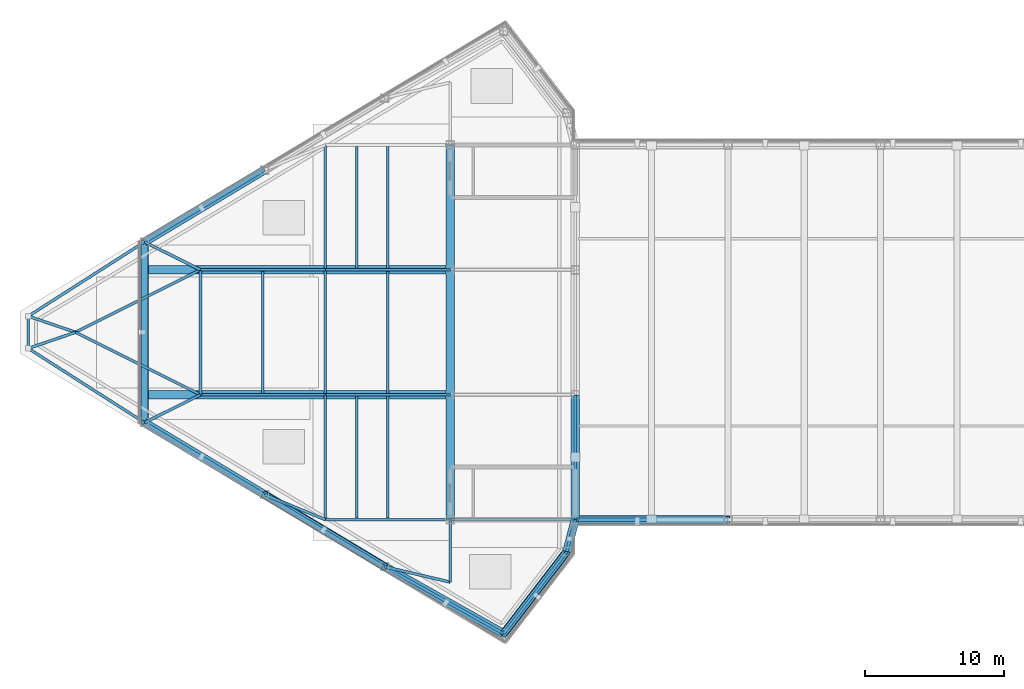
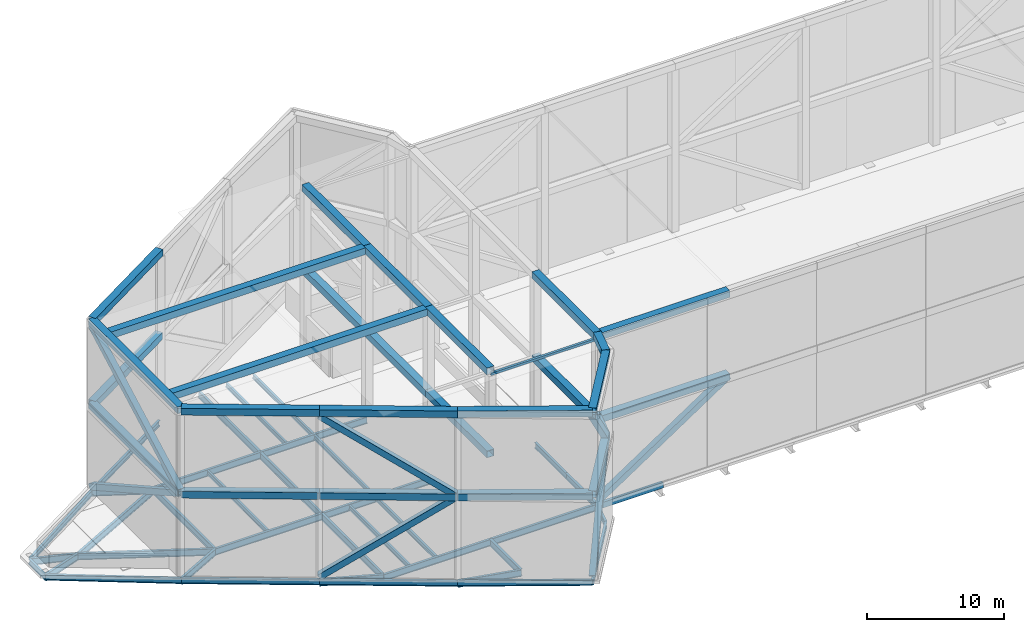
# One storey, part 3 of 16: 63 beams, 8 members.
"""IFC4 building model written with IfcOpenShell, lengths in metres."""

from ifc_helpers import new_model, si_unit, direction, frame, origin, origin_2d, place, context, subcontext, project, spatial, hollow_rectangle, i_section, extrude, source, transform, mapped, material, material_profile, profile_set, type_object, type_shapes, element, save


model = new_model("IFC4")

# Units and contexts
model_context = context("Model", 3, precision=1e-05, world=origin(), true_north=direction((0.0, 1.0)))
body_context = subcontext(model_context, "Body", "Model", "MODEL_VIEW")
ifc_project = project(units=[si_unit("LENGTHUNIT", "METRE"), si_unit("AREAUNIT", "SQUARE_METRE"), si_unit("VOLUMEUNIT", "CUBIC_METRE"), si_unit("PLANEANGLEUNIT", "RADIAN"), si_unit("MASSUNIT", "GRAM", prefix="KILO")], contexts=[model_context])

# Site, building, storey
site_placement = place(None, origin())
site = spatial("IfcSite", under=ifc_project, at=site_placement, CompositionType="ELEMENT")
building_placement = place(site_placement, origin())
building = spatial("IfcBuilding", under=site, at=building_placement, Name="Seokmaru Belvedere", CompositionType="ELEMENT")
storey_placement = place(building_placement, frame((0.0, 0.0, 279.0)))
storey = spatial("IfcBuildingStorey", under=building, at=storey_placement, Name="RF", CompositionType="ELEMENT", Elevation=279.0)

# Beams
ifc_material = material(Name="Steel SM355 (355 MPa)", Category="steel")
ifc_material_profile_1 = material_profile(ifc_material, i_section(OverallWidth=0.199951171875, OverallDepth=0.5, WebThickness=0.010009765625, FlangeThickness=0.01611328125, at=origin_2d()), Name="H-500x200x10x16")
ifc_profile_set_1 = profile_set([ifc_material_profile_1], Name="Steel SM355 (355 MPa)")
beam_type_1 = type_object("IfcBeamType", Name="Perimeter Spandrel Beam H-500", PredefinedType="SPANDREL", material=ifc_profile_set_1)
shared_shape_1 = source(origin(), body_context, "Body", "SweptSolid", [
    extrude(i_section(OverallWidth=0.199951171875, OverallDepth=0.5, WebThickness=0.010009765625, FlangeThickness=0.01611328125, at=origin_2d()), origin(), (0.0, 0.0, 1.0), 4.5),
])
for number, where, z_axis, x_axis, name in (
    (1, (-27.5, -13.5, -0.530029296875), (0.0, 1.0, 0.0), (-1.0, 0.0, 0.0), "RF W Portal Spine Spandrel 1"),
    (2, (-27.5, -9.0, -0.530029296875), (0.0, 1.0, 0.0), (-1.0, 0.0, 0.0), "RF W Portal Spine Spandrel 2"),
):
    element("IfcBeam", number, at=place(storey_placement, frame(where, z_axis=z_axis, x_axis=x_axis)), inside=storey, type_object=beam_type_1, Name=name, PredefinedType="SPANDREL", context=body_context, shape_type="MappedRepresentation", body=[
        mapped(shared_shape_1, transform((0.0, 0.0, 0.0), scale=1.0)),
    ])
ifc_material_profile_2 = material_profile(ifc_material, i_section(OverallWidth=0.199951171875, OverallDepth=0.60009765625, WebThickness=0.010986328125, FlangeThickness=0.01708984375, at=origin_2d()), Name="H-600x200x11x17")
ifc_profile_set_2 = profile_set([ifc_material_profile_2], Name="Steel SM355 (355 MPa)")
beam_type_2 = type_object("IfcBeamType", Name="Primary Floor Girder H-600", PredefinedType="BEAM", material=ifc_profile_set_2)
shared_shape_2 = source(origin(), body_context, "Body", "SweptSolid", [
    extrude(i_section(OverallWidth=0.199951171875, OverallDepth=0.60009765625, WebThickness=0.010986328125, FlangeThickness=0.01708984375, at=origin_2d()), origin(), (0.0, 0.0, 1.0), 9.0),
])
for number, where, z_axis, x_axis, name in (
    (3, (-45.5, -13.5, -0.580078125), (0.0, 1.0, 0.0), (-1.0, 0.0, 0.0), "RF W Interior Grid Girder 1"),
    (4, (-45.5, -4.5, -0.580078125), (0.0, 1.0, 0.0), (-1.0, 0.0, 0.0), "RF W Interior Grid Girder 2"),
    (5, (-45.5, 4.5, -0.580078125), (0.0, 1.0, 0.0), (-1.0, 0.0, 0.0), "RF W Interior Grid Girder 3"),
    (6, (-36.5, -13.5, -0.580078125), (1.0, 0.0, 0.0), (0.0, 1.0, 0.0), "RF W Core Tie Girder 1"),
    (7, (-45.5, -13.5, -0.580078125), (1.0, 0.0, 0.0), (0.0, 1.0, 0.0), "RF W Wing Primary Girder 1"),
    (8, (-45.5, -4.5, -0.580078125), (1.0, 0.0, 0.0), (0.0, 1.0, 0.0), "RF W Wing Primary Girder 2"),
    (9, (-45.5, 4.5, -0.580078125), (1.0, 0.0, 0.0), (0.0, 1.0, 0.0), "RF W Wing Primary Girder 3"),
    (10, (-54.5, -4.5, -0.580078125), (1.0, 0.0, 0.0), (0.0, 1.0, 0.0), "RF W Outer Wing Girder 1"),
    (11, (-54.5, 4.5, -0.580078125), (1.0, 0.0, 0.0), (0.0, 1.0, 0.0), "RF W Outer Wing Girder 2"),
    (12, (-54.5, -4.5, -0.580078125), (0.0, 1.0, 0.0), (-1.0, 0.0, 0.0), "RF W Apex Frame Girder"),
):
    element("IfcBeam", number, at=place(storey_placement, frame(where, z_axis=z_axis, x_axis=x_axis)), inside=storey, type_object=beam_type_2, Name=name, PredefinedType="BEAM", context=body_context, shape_type="MappedRepresentation", body=[
        mapped(shared_shape_2, transform((0.0, 0.0, 0.0), scale=1.0)),
    ])
shared_shape_3 = source(origin(), body_context, "Body", "SweptSolid", [
    extrude(i_section(OverallWidth=0.199951171875, OverallDepth=0.60009765625, WebThickness=0.010986328125, FlangeThickness=0.01708984375, at=origin_2d()), origin(), (0.0, 0.0, 1.0), 10.062255859375),
])
for number, where, z_axis, x_axis, name in (
    (13, (-54.5, -4.5, -0.580078125), (-0.894427191, 0.4472135955, 0.0), (-0.4472135955, -0.894427191, 0.0), "RF W Apex Converging Girder 1"),
    (14, (-54.5, 4.5, -0.580078125), (-0.894427191, -0.4472135955, 0.0), (0.4472135955, -0.894427191, 0.0), "RF W Apex Converging Girder 2"),
):
    element("IfcBeam", number, at=place(storey_placement, frame(where, z_axis=z_axis, x_axis=x_axis)), inside=storey, type_object=beam_type_2, Name=name, PredefinedType="BEAM", context=body_context, shape_type="MappedRepresentation", body=[
        mapped(shared_shape_3, transform((0.0, 0.0, 0.0), scale=1.0)),
    ])
ifc_material_profile_3 = material_profile(ifc_material, i_section(OverallWidth=0.18505859375, OverallDepth=0.389892578125, WebThickness=0.008056640625, FlangeThickness=0.011962890625, at=origin_2d()), Name="H-390x185x8x12")
ifc_profile_set_3 = profile_set([ifc_material_profile_3], Name="Steel SM355 (355 MPa)")
beam_type_3 = type_object("IfcBeamType", Name="Secondary Floor Joist H-350", PredefinedType="JOIST", material=ifc_profile_set_3)
shared_shape_4 = source(origin(), body_context, "Body", "SweptSolid", [
    extrude(i_section(OverallWidth=0.18505859375, OverallDepth=0.389892578125, WebThickness=0.008056640625, FlangeThickness=0.011962890625, at=origin_2d()), origin(), (0.0, 0.0, 1.0), 8.7900390625),
])
type_shapes(beam_type_3, [shared_shape_4])
for number, where, z_axis, x_axis, name in (
    (15, (-43.25, -13.39501953125, -0.47509765625), (0.0, 1.0, 0.0), (-1.0, 0.0, 0.0), "RF W Wing Inner Secondary Joist 1"),
    (16, (-43.25, 4.60498046875, -0.47509765625), (0.0, 1.0, 0.0), (-1.0, 0.0, 0.0), "RF W Wing Inner Secondary Joist 2"),
    (17, (-41.0, -13.39501953125, -0.47509765625), (0.0, 1.0, 0.0), (-1.0, 0.0, 0.0), "RF W Secondary Floor Joist 1"),
    (18, (-41.0, -4.39501953125, -0.47509765625), (0.0, 1.0, 0.0), (-1.0, 0.0, 0.0), "RF W Secondary Floor Joist 2"),
    (19, (-41.0, 4.60498046875, -0.47509765625), (0.0, 1.0, 0.0), (-1.0, 0.0, 0.0), "RF W Secondary Floor Joist 3"),
    (20, (-50.0, -4.39501953125, -0.47509765625), (0.0, 1.0, 0.0), (-1.0, 0.0, 0.0), "RF W Outer Bay Secondary Joist"),
):
    element("IfcBeam", number, at=place(storey_placement, frame(where, z_axis=z_axis, x_axis=x_axis)), inside=storey, type_object=beam_type_3, Name=name, PredefinedType="JOIST", context=body_context, shape_type="MappedRepresentation", body=[
        mapped(shared_shape_4, transform((0.0, 0.0, 0.0), scale=1.0)),
    ])
shared_shape_5 = source(origin(), body_context, "Body", "SweptSolid", [
    extrude(i_section(OverallWidth=0.199951171875, OverallDepth=0.60009765625, WebThickness=0.010986328125, FlangeThickness=0.01708984375, at=origin_2d()), origin(), (0.0, 0.0, 1.0), 4.5),
])
beam_1_placement = place(storey_placement, frame((-36.5, -18.0, -0.580078125), z_axis=(0.0, 1.0, 0.0), x_axis=(-1.0, 0.0, 0.0)))
element("IfcBeam", 21, at=beam_1_placement, inside=storey, type_object=beam_type_2, Name="RF W Core Shoulder Girder S", PredefinedType="BEAM", context=body_context, shape_type="MappedRepresentation", body=[
    mapped(shared_shape_5, transform((0.0, 0.0, 0.0), scale=1.0)),
])
shared_shape_6 = source(origin(), body_context, "Body", "SweptSolid", [
    extrude(i_section(OverallWidth=0.199951171875, OverallDepth=0.5, WebThickness=0.010009765625, FlangeThickness=0.01611328125, at=origin_2d()), origin(), (0.0, 0.0, 1.0), 9.842041015625),
])
beam_2_placement = place(storey_placement, frame((-32.649658203125, -21.71044921875, -0.530029296875), z_axis=(-0.871782151818, 0.489893743349, 0.0), x_axis=(-0.489893743349, -0.871782151818, 0.0)))
element("IfcBeam", 22, at=beam_2_placement, inside=storey, type_object=beam_type_1, Name="RF W Faceted Flank Spandrel S-1", PredefinedType="SPANDREL", context=body_context, shape_type="MappedRepresentation", body=[
    mapped(shared_shape_6, transform((0.0, 0.0, 0.0), scale=1.0)),
])
shared_shape_7 = source(origin(), body_context, "Body", "SweptSolid", [
    extrude(i_section(OverallWidth=0.199951171875, OverallDepth=0.5, WebThickness=0.010009765625, FlangeThickness=0.01611328125, at=origin_2d()), origin(), (0.0, 0.0, 1.0), 10.087646484375),
])
for number, where, z_axis, x_axis, name in (
    (23, (-41.229736328125, -16.888916015625, -0.530029296875), (-0.857499332045, 0.514485078056, 0.0), (-0.514485078056, -0.857499332045, 0.0), "RF W Faceted Flank Spandrel S-2"),
    (24, (-49.8798828125, -11.698974609375, -0.530029296875), (-0.857488654804, 0.514502873542, 0.0), (-0.514502873542, -0.857488654804, 0.0), "RF W Faceted Flank Spandrel S-3"),
    (25, (-49.8798828125, 11.698974609375, -0.530029296875), (-0.857488654804, -0.514502873542, 0.0), (0.514502873542, -0.857488654804, 0.0), "RF W Faceted Flank Spandrel N-3"),
):
    element("IfcBeam", number, at=place(storey_placement, frame(where, z_axis=z_axis, x_axis=x_axis)), inside=storey, type_object=beam_type_1, Name=name, PredefinedType="SPANDREL", context=body_context, shape_type="MappedRepresentation", body=[
        mapped(shared_shape_7, transform((0.0, 0.0, 0.0), scale=1.0)),
    ])
shared_shape_8 = source(origin(), body_context, "Body", "SweptSolid", [
    extrude(i_section(OverallWidth=0.199951171875, OverallDepth=0.5, WebThickness=0.010009765625, FlangeThickness=0.01611328125, at=origin_2d()), origin(), (0.0, 0.0, 1.0), 9.932861328125),
])
for number, where, z_axis, x_axis, name in (
    (26, (-58.530029296875, -6.5087890625, -0.530029296875), (-0.842651960357, 0.538458609093, 0.0), (-0.538458609093, -0.842651960357, 0.0), "RF W Faceted Flank Spandrel S-4"),
    (27, (-58.530029296875, 6.5087890625, -0.530029296875), (-0.842651960357, -0.538458609093, 0.0), (0.538458609093, -0.842651960357, 0.0), "RF W Faceted Flank Spandrel N-4"),
):
    element("IfcBeam", number, at=place(storey_placement, frame(where, z_axis=z_axis, x_axis=x_axis)), inside=storey, type_object=beam_type_1, Name=name, PredefinedType="SPANDREL", context=body_context, shape_type="MappedRepresentation", body=[
        mapped(shared_shape_8, transform((0.0, 0.0, 0.0), scale=1.0)),
    ])
shared_shape_9 = source(origin(), body_context, "Body", "SweptSolid", [
    extrude(i_section(OverallWidth=0.199951171875, OverallDepth=0.5, WebThickness=0.010009765625, FlangeThickness=0.01611328125, at=origin_2d()), origin(), (0.0, 0.0, 1.0), 2.32080078125),
])
beam_3_placement = place(storey_placement, frame((-66.89990234375, -1.160400390625, -0.530029296875), z_axis=(0.0, 1.0, 0.0), x_axis=(-1.0, 0.0, 0.0)))
element("IfcBeam", 28, at=beam_3_placement, inside=storey, type_object=beam_type_1, Name="RF W Faceted Apex Spandrel", PredefinedType="SPANDREL", context=body_context, shape_type="MappedRepresentation", body=[
    mapped(shared_shape_9, transform((0.0, 0.0, 0.0), scale=1.0)),
])
shared_shape_10 = source(origin(), body_context, "Body", "SweptSolid", [
    extrude(i_section(OverallWidth=0.199951171875, OverallDepth=0.5, WebThickness=0.010009765625, FlangeThickness=0.01611328125, at=origin_2d()), origin(), (0.0, 0.0, 1.0), 7.4619140625),
])
beam_4_placement = place(storey_placement, frame((-32.649658203125, -21.71044921875, -0.530029296875), z_axis=(0.609702854945, 0.792630070507, 0.0), x_axis=(-0.792630070507, 0.609702854945, 0.0)))
element("IfcBeam", 29, at=beam_4_placement, inside=storey, type_object=beam_type_1, Name="RF W Shoulder Chamfer Spandrel S", PredefinedType="SPANDREL", context=body_context, shape_type="MappedRepresentation", body=[
    mapped(shared_shape_10, transform((0.0, 0.0, 0.0), scale=1.0)),
])
shared_shape_11 = source(origin(), body_context, "Body", "SweptSolid", [
    extrude(i_section(OverallWidth=0.199951171875, OverallDepth=0.5, WebThickness=0.010009765625, FlangeThickness=0.01611328125, at=origin_2d()), origin(), (0.0, 0.0, 1.0), 2.373046875),
])
type_shapes(beam_type_1, [shared_shape_1, shared_shape_6, shared_shape_7, shared_shape_8, shared_shape_9, shared_shape_10, shared_shape_11])
beam_5_placement = place(storey_placement, frame((-28.10009765625, -15.7958984375, -0.530029296875), z_axis=(0.252882558842, 0.967496982648, 0.0), x_axis=(-0.967496982648, 0.252882558842, 0.0)))
element("IfcBeam", 30, at=beam_5_placement, inside=storey, type_object=beam_type_1, Name="RF W Shoulder Spine Spandrel S", PredefinedType="SPANDREL", context=body_context, shape_type="MappedRepresentation", body=[
    mapped(shared_shape_11, transform((0.0, 0.0, 0.0), scale=1.0)),
])
shared_shape_12 = source(origin(), body_context, "Body", "SweptSolid", [
    extrude(i_section(OverallWidth=0.199951171875, OverallDepth=0.60009765625, WebThickness=0.010986328125, FlangeThickness=0.01708984375, at=origin_2d()), origin(), (0.0, 0.0, 1.0), 4.8583984375),
])
beam_6_placement = place(storey_placement, frame((-41.229736328125, -16.888916015625, -0.580078125), z_axis=(0.97349948295, -0.228689214211, 0.0), x_axis=(0.228689214211, 0.97349948295, 0.0)))
element("IfcBeam", 31, at=beam_6_placement, inside=storey, type_object=beam_type_2, Name="RF W Flank Radial Floor Girder S-1", PredefinedType="BEAM", context=body_context, shape_type="MappedRepresentation", body=[
    mapped(shared_shape_12, transform((0.0, 0.0, 0.0), scale=1.0)),
])
shared_shape_13 = source(origin(), body_context, "Body", "SweptSolid", [
    extrude(i_section(OverallWidth=0.199951171875, OverallDepth=0.60009765625, WebThickness=0.010986328125, FlangeThickness=0.01708984375, at=origin_2d()), origin(), (0.0, 0.0, 1.0), 4.73583984375),
])
beam_7_placement = place(storey_placement, frame((-49.8798828125, -11.698974609375, -0.580078125), z_axis=(0.924860562953, -0.380306375301, 0.0), x_axis=(0.380306375301, 0.924860562953, 0.0)))
element("IfcBeam", 32, at=beam_7_placement, inside=storey, type_object=beam_type_2, Name="RF W Flank Radial Floor Girder S-2", PredefinedType="BEAM", context=body_context, shape_type="MappedRepresentation", body=[
    mapped(shared_shape_13, transform((0.0, 0.0, 0.0), scale=1.0)),
])
shared_shape_14 = source(origin(), body_context, "Body", "SweptSolid", [
    extrude(i_section(OverallWidth=0.199951171875, OverallDepth=0.60009765625, WebThickness=0.010986328125, FlangeThickness=0.01708984375, at=origin_2d()), origin(), (0.0, 0.0, 1.0), 4.5029296875),
])
for number, where, z_axis, x_axis, name in (
    (33, (-58.530029296875, -6.5087890625, -0.580078125), (0.894979532585, 0.446107202648, 0.0), (-0.446107202648, 0.894979532585, 0.0), "RF W Flank Radial Floor Girder S-3"),
    (34, (-58.530029296875, 6.5087890625, -0.580078125), (0.894979532585, -0.446107202648, 0.0), (0.446107202648, 0.894979532585, 0.0), "RF W Flank Radial Floor Girder N-3"),
):
    element("IfcBeam", number, at=place(storey_placement, frame(where, z_axis=z_axis, x_axis=x_axis)), inside=storey, type_object=beam_type_2, Name=name, PredefinedType="BEAM", context=body_context, shape_type="MappedRepresentation", body=[
        mapped(shared_shape_14, transform((0.0, 0.0, 0.0), scale=1.0)),
    ])
shared_shape_15 = source(origin(), body_context, "Body", "SweptSolid", [
    extrude(i_section(OverallWidth=0.199951171875, OverallDepth=0.60009765625, WebThickness=0.010986328125, FlangeThickness=0.01708984375, at=origin_2d()), origin(), (0.0, 0.0, 1.0), 3.592529296875),
])
type_shapes(beam_type_2, [shared_shape_2, shared_shape_3, shared_shape_5, shared_shape_12, shared_shape_13, shared_shape_14, shared_shape_15])
for number, where, z_axis, x_axis, name in (
    (35, (-66.89990234375, -1.160400390625, -0.580078125), (0.946395973048, 0.323008764893, 0.0), (-0.323008764893, 0.946395973048, 0.0), "RF W Apex Radial Floor Girder 1"),
    (36, (-66.89990234375, 1.160400390625, -0.580078125), (0.946395973048, -0.323008764893, 0.0), (0.323008764893, 0.946395973048, 0.0), "RF W Apex Radial Floor Girder 2"),
):
    element("IfcBeam", number, at=place(storey_placement, frame(where, z_axis=z_axis, x_axis=x_axis)), inside=storey, type_object=beam_type_2, Name=name, PredefinedType="BEAM", context=body_context, shape_type="MappedRepresentation", body=[
        mapped(shared_shape_15, transform((0.0, 0.0, 0.0), scale=1.0)),
    ])
ifc_material_profile_4 = material_profile(ifc_material, hollow_rectangle(XDim=0.25, YDim=0.5, WallThickness=0.013916015625, at=origin_2d()), Name="RHS-500x250x14")
ifc_profile_set_4 = profile_set([ifc_material_profile_4], Name="Steel SM355 (355 MPa)")
beam_type_4 = type_object("IfcBeamType", Name="Bridge Edge Spandrel RHS-500", PredefinedType="SPANDREL", material=ifc_profile_set_4)
shared_shape_16 = source(origin(), body_context, "Body", "SweptSolid", [
    extrude(hollow_rectangle(XDim=0.25, YDim=0.5, WallThickness=0.013916015625, at=origin_2d()), origin(), (0.0, 0.0, 1.0), 5.5),
])
type_shapes(beam_type_4, [shared_shape_16])
beam_8_placement = place(storey_placement, frame((-27.5, -13.5, -0.530029296875), z_axis=(1.0, 0.0, 0.0), x_axis=(0.0, 1.0, 0.0)))
element("IfcBeam", 37, at=beam_8_placement, inside=storey, type_object=beam_type_4, Name="RF Sky-Gate Bridge Edge Girder S-01", PredefinedType="SPANDREL", context=body_context, shape_type="MappedRepresentation", body=[
    mapped(shared_shape_16, transform((0.0, 0.0, 0.0), scale=1.0)),
])
ifc_material_profile_5 = material_profile(ifc_material, hollow_rectangle(XDim=0.60009765625, YDim=0.60009765625, WallThickness=0.02490234375, at=origin_2d()), Name="HSS-600x600x25")
ifc_profile_set_5 = profile_set([ifc_material_profile_5], Name="Steel SM355 (355 MPa)")
beam_type_5 = type_object("IfcBeamType", Name="Crown Structural Ring Beam CROWN FRAME 600x600", PredefinedType="USERDEFINED", material=ifc_profile_set_5)
shared_shape_17 = source(origin(), body_context, "Body", "SweptSolid", [
    extrude(hollow_rectangle(XDim=0.60009765625, YDim=0.60009765625, WallThickness=0.02490234375, at=origin_2d()), origin(), (0.0, 0.0, 1.0), 11.0),
])
for number, where, z_axis, x_axis, name in (
    (38, (-27.5, -13.5, 7.300048828125), (1.0, 0.0, 0.0), (0.0, 1.0, 0.0), "RF Crown Chamfered Ring Beam CROWN FRAME T1-01"),
    (39, (-27.5, -13.5, 14.699951171875), (1.0, 0.0, 0.0), (0.0, 1.0, 0.0), "RF Crown Chamfered Ring Beam CROWN FRAME T2-01"),
):
    element("IfcBeam", number, at=place(storey_placement, frame(where, z_axis=z_axis, x_axis=x_axis)), inside=storey, type_object=beam_type_5, Name=name, ObjectType="CROWN FRAME", PredefinedType="USERDEFINED", context=body_context, shape_type="MappedRepresentation", body=[
        mapped(shared_shape_17, transform((0.0, 0.0, 0.0), scale=1.0)),
    ])
shared_shape_18 = source(origin(), body_context, "Body", "SweptSolid", [
    extrude(hollow_rectangle(XDim=0.60009765625, YDim=0.60009765625, WallThickness=0.02490234375, at=origin_2d()), origin(), (0.0, 0.0, 1.0), 2.373046875),
])
for number, where, z_axis, x_axis, name in (
    (40, (-28.10009765625, -15.7958984375, 7.300048828125), (0.252882558842, 0.967496982648, 0.0), (-0.967496982648, 0.252882558842, 0.0), "RF Crown Chamfered Ring Beam CROWN FRAME T1-32"),
    (41, (-28.10009765625, -15.7958984375, 14.699951171875), (0.252882558842, 0.967496982648, 0.0), (-0.967496982648, 0.252882558842, 0.0), "RF Crown Chamfered Ring Beam CROWN FRAME T2-32"),
):
    element("IfcBeam", number, at=place(storey_placement, frame(where, z_axis=z_axis, x_axis=x_axis)), inside=storey, type_object=beam_type_5, Name=name, ObjectType="CROWN FRAME", PredefinedType="USERDEFINED", context=body_context, shape_type="MappedRepresentation", body=[
        mapped(shared_shape_18, transform((0.0, 0.0, 0.0), scale=1.0)),
    ])
shared_shape_19 = source(origin(), body_context, "Body", "SweptSolid", [
    extrude(hollow_rectangle(XDim=0.60009765625, YDim=0.60009765625, WallThickness=0.02490234375, at=origin_2d()), origin(), (0.0, 0.0, 1.0), 7.4619140625),
])
for number, where, z_axis, x_axis, name in (
    (42, (-32.649658203125, -21.71044921875, 7.300048828125), (0.609702854945, 0.792630070507, 0.0), (-0.792630070507, 0.609702854945, 0.0), "RF Crown Chamfered Ring Beam CROWN FRAME T1-31"),
    (43, (-32.649658203125, -21.71044921875, 14.699951171875), (0.609702854945, 0.792630070507, 0.0), (-0.792630070507, 0.609702854945, 0.0), "RF Crown Chamfered Ring Beam CROWN FRAME T2-31"),
):
    element("IfcBeam", number, at=place(storey_placement, frame(where, z_axis=z_axis, x_axis=x_axis)), inside=storey, type_object=beam_type_5, Name=name, ObjectType="CROWN FRAME", PredefinedType="USERDEFINED", context=body_context, shape_type="MappedRepresentation", body=[
        mapped(shared_shape_19, transform((0.0, 0.0, 0.0), scale=1.0)),
    ])
shared_shape_20 = source(origin(), body_context, "Body", "SweptSolid", [
    extrude(hollow_rectangle(XDim=0.60009765625, YDim=0.60009765625, WallThickness=0.02490234375, at=origin_2d()), origin(), (0.0, 0.0, 1.0), 9.842041015625),
])
for number, where, z_axis, x_axis, name in (
    (44, (-41.229736328125, -16.888916015625, 7.300048828125), (0.871782151818, -0.489893743349, 0.0), (0.489893743349, 0.871782151818, 0.0), "RF Crown Chamfered Ring Beam CROWN FRAME T1-30"),
    (45, (-41.229736328125, -16.888916015625, 14.699951171875), (0.871782151818, -0.489893743349, 0.0), (0.489893743349, 0.871782151818, 0.0), "RF Crown Chamfered Ring Beam CROWN FRAME T2-30"),
):
    element("IfcBeam", number, at=place(storey_placement, frame(where, z_axis=z_axis, x_axis=x_axis)), inside=storey, type_object=beam_type_5, Name=name, ObjectType="CROWN FRAME", PredefinedType="USERDEFINED", context=body_context, shape_type="MappedRepresentation", body=[
        mapped(shared_shape_20, transform((0.0, 0.0, 0.0), scale=1.0)),
    ])
shared_shape_21 = source(origin(), body_context, "Body", "SweptSolid", [
    extrude(hollow_rectangle(XDim=0.60009765625, YDim=0.60009765625, WallThickness=0.02490234375, at=origin_2d()), origin(), (0.0, 0.0, 1.0), 10.087646484375),
])
for number, where, z_axis, x_axis, name in (
    (46, (-49.8798828125, 11.698974609375, 7.300048828125), (-0.857488654804, -0.514502873542, 0.0), (0.514502873542, -0.857488654804, 0.0), "RF Crown Chamfered Ring Beam CROWN FRAME T1-26"),
    (47, (-58.530029296875, -6.5087890625, 7.300048828125), (0.857488654804, -0.514502873542, 0.0), (0.514502873542, 0.857488654804, 0.0), "RF Crown Chamfered Ring Beam CROWN FRAME T1-28"),
    (48, (-49.8798828125, -11.698974609375, 7.300048828125), (0.857499332045, -0.514485078056, 0.0), (0.514485078056, 0.857499332045, 0.0), "RF Crown Chamfered Ring Beam CROWN FRAME T1-29"),
    (49, (-49.8798828125, 11.698974609375, 14.699951171875), (-0.857488654804, -0.514502873542, 0.0), (0.514502873542, -0.857488654804, 0.0), "RF Crown Chamfered Ring Beam CROWN FRAME T2-26"),
    (50, (-58.530029296875, -6.5087890625, 14.699951171875), (0.857488654804, -0.514502873542, 0.0), (0.514502873542, 0.857488654804, 0.0), "RF Crown Chamfered Ring Beam CROWN FRAME T2-28"),
    (51, (-49.8798828125, -11.698974609375, 14.699951171875), (0.857499332045, -0.514485078056, 0.0), (0.514485078056, 0.857499332045, 0.0), "RF Crown Chamfered Ring Beam CROWN FRAME T2-29"),
):
    element("IfcBeam", number, at=place(storey_placement, frame(where, z_axis=z_axis, x_axis=x_axis)), inside=storey, type_object=beam_type_5, Name=name, ObjectType="CROWN FRAME", PredefinedType="USERDEFINED", context=body_context, shape_type="MappedRepresentation", body=[
        mapped(shared_shape_21, transform((0.0, 0.0, 0.0), scale=1.0)),
    ])
shared_shape_22 = source(origin(), body_context, "Body", "SweptSolid", [
    extrude(hollow_rectangle(XDim=0.60009765625, YDim=0.60009765625, WallThickness=0.02490234375, at=origin_2d()), origin(), (0.0, 0.0, 1.0), 13.017578125),
])
for number, where, z_axis, x_axis, name in (
    (52, (-58.530029296875, 6.5087890625, 7.300048828125), (0.0, -1.0, 0.0), (1.0, 0.0, 0.0), "RF Crown Chamfered Ring Beam CROWN FRAME T1-27"),
    (53, (-58.530029296875, 6.5087890625, 14.699951171875), (0.0, -1.0, 0.0), (1.0, 0.0, 0.0), "RF Crown Chamfered Ring Beam CROWN FRAME T2-27"),
):
    element("IfcBeam", number, at=place(storey_placement, frame(where, z_axis=z_axis, x_axis=x_axis)), inside=storey, type_object=beam_type_5, Name=name, ObjectType="CROWN FRAME", PredefinedType="USERDEFINED", context=body_context, shape_type="MappedRepresentation", body=[
        mapped(shared_shape_22, transform((0.0, 0.0, 0.0), scale=1.0)),
    ])
shared_shape_23 = source(origin(), body_context, "Body", "SweptSolid", [
    extrude(hollow_rectangle(XDim=0.60009765625, YDim=0.60009765625, WallThickness=0.02490234375, at=origin_2d()), origin(), (0.0, 0.0, 1.0), 9.0),
])
for number, where, z_axis, x_axis, name in (
    (54, (-36.5, -13.5, 7.300048828125), (0.0, 1.0, 0.0), (-1.0, 0.0, 0.0), "RF Crown Cross Tie CROWN FRAME T1-W2-1"),
    (55, (-36.5, -4.5, 7.300048828125), (0.0, 1.0, 0.0), (-1.0, 0.0, 0.0), "RF Crown Cross Tie CROWN FRAME T1-W2-2"),
    (56, (-36.5, 4.5, 7.300048828125), (0.0, 1.0, 0.0), (-1.0, 0.0, 0.0), "RF Crown Cross Tie CROWN FRAME T1-W2-3"),
    (57, (-27.5, -13.5, 7.300048828125), (0.0, 1.0, 0.0), (-1.0, 0.0, 0.0), "RF Crown Cross Tie CROWN FRAME T1-W1-1"),
    (58, (-36.5, -13.5, 14.699951171875), (0.0, 1.0, 0.0), (-1.0, 0.0, 0.0), "RF Crown Cross Tie CROWN FRAME T2-W2-1"),
    (59, (-36.5, -4.5, 14.699951171875), (0.0, 1.0, 0.0), (-1.0, 0.0, 0.0), "RF Crown Cross Tie CROWN FRAME T2-W2-2"),
    (60, (-36.5, 4.5, 14.699951171875), (0.0, 1.0, 0.0), (-1.0, 0.0, 0.0), "RF Crown Cross Tie CROWN FRAME T2-W2-3"),
    (61, (-27.5, -13.5, 14.699951171875), (0.0, 1.0, 0.0), (-1.0, 0.0, 0.0), "RF Crown Cross Tie CROWN FRAME T2-W1-1"),
):
    element("IfcBeam", number, at=place(storey_placement, frame(where, z_axis=z_axis, x_axis=x_axis)), inside=storey, type_object=beam_type_5, Name=name, ObjectType="CROWN FRAME", PredefinedType="USERDEFINED", context=body_context, shape_type="MappedRepresentation", body=[
        mapped(shared_shape_23, transform((0.0, 0.0, 0.0), scale=1.0)),
    ])

# Members
ifc_material_profile_6 = material_profile(ifc_material, hollow_rectangle(XDim=0.5, YDim=0.5, WallThickness=0.02001953125, at=origin_2d()), Name="HSS-500x500x20")
ifc_profile_set_6 = profile_set([ifc_material_profile_6], Name="Steel SM355 (355 MPa)")
member_type_1 = type_object("IfcMemberType", Name="Crown Diagonal Wind Brace CROWN FRAME 500x500", PredefinedType="USERDEFINED", material=ifc_profile_set_6)
shared_shape_24 = source(origin(), body_context, "Body", "SweptSolid", [
    extrude(hollow_rectangle(XDim=0.5, YDim=0.5, WallThickness=0.02001953125, at=origin_2d()), origin(), (0.0, 0.0, 1.0), 13.201904296875),
])
member_1_placement = place(storey_placement, frame((-27.5, -13.5, 0.0), z_axis=(0.83321208815, 0.0, 0.55295353888), x_axis=(0.0, 1.0, 0.0)))
element("IfcMember", 62, at=member_1_placement, inside=storey, type_object=member_type_1, Name="RF Crown Diagonal Wind Brace CROWN FRAME L-01", ObjectType="CROWN FRAME", PredefinedType="USERDEFINED", context=body_context, shape_type="MappedRepresentation", body=[
    mapped(shared_shape_24, transform((0.0, 0.0, 0.0), scale=1.0)),
])
shared_shape_25 = source(origin(), body_context, "Body", "SweptSolid", [
    extrude(hollow_rectangle(XDim=0.5, YDim=0.5, WallThickness=0.02001953125, at=origin_2d()), origin(), (0.0, 0.0, 1.0), 10.43896484375),
])
member_2_placement = place(storey_placement, frame((-32.649658203125, -21.71044921875, 0.0), z_axis=(0.435826598643, 0.566586272, 0.699310497774), x_axis=(-0.792630070507, 0.609702854945, 0.0)))
element("IfcMember", 63, at=member_2_placement, inside=storey, type_object=member_type_1, Name="RF Crown Diagonal Wind Brace CROWN FRAME L-16", ObjectType="CROWN FRAME", PredefinedType="USERDEFINED", context=body_context, shape_type="MappedRepresentation", body=[
    mapped(shared_shape_25, transform((0.0, 0.0, 0.0), scale=1.0)),
])
shared_shape_26 = source(origin(), body_context, "Body", "SweptSolid", [
    extrude(hollow_rectangle(XDim=0.5, YDim=0.5, WallThickness=0.02001953125, at=origin_2d()), origin(), (0.0, 0.0, 1.0), 10.265625),
])
member_3_placement = place(storey_placement, frame((-28.10009765625, -15.7958984375, 7.300048828125), z_axis=(-0.443182836434, -0.576149578506, 0.686760974924), x_axis=(0.792630070507, -0.609702854945, 0.0)))
element("IfcMember", 64, at=member_3_placement, inside=storey, type_object=member_type_1, Name="RF Crown Diagonal Wind Brace CROWN FRAME U-16", ObjectType="CROWN FRAME", PredefinedType="USERDEFINED", context=body_context, shape_type="MappedRepresentation", body=[
    mapped(shared_shape_26, transform((0.0, 0.0, 0.0), scale=1.0)),
])
shared_shape_27 = source(origin(), body_context, "Body", "SweptSolid", [
    extrude(hollow_rectangle(XDim=0.5, YDim=0.5, WallThickness=0.02001953125, at=origin_2d()), origin(), (0.0, 0.0, 1.0), 12.451904296875),
])
member_4_placement = place(storey_placement, frame((-49.8798828125, -11.698974609375, 0.0), z_axis=(0.694681673216, -0.416797239966, 0.586257139534), x_axis=(0.514485078056, 0.857499332045, 0.0)))
element("IfcMember", 65, at=member_4_placement, inside=storey, type_object=member_type_1, Name="RF Crown Diagonal Wind Brace CROWN FRAME L-15", ObjectType="CROWN FRAME", PredefinedType="USERDEFINED", context=body_context, shape_type="MappedRepresentation", body=[
    mapped(shared_shape_27, transform((0.0, 0.0, 0.0), scale=1.0)),
])
shared_shape_28 = source(origin(), body_context, "Body", "SweptSolid", [
    extrude(hollow_rectangle(XDim=0.5, YDim=0.5, WallThickness=0.02001953125, at=origin_2d()), origin(), (0.0, 0.0, 1.0), 12.30712890625),
])
member_5_placement = place(storey_placement, frame((-41.229736328125, -16.888916015625, 7.300048828125), z_axis=(-0.702860537679, 0.42170442014, 0.572845918731), x_axis=(-0.514485078056, -0.857499332045, 0.0)))
element("IfcMember", 66, at=member_5_placement, inside=storey, type_object=member_type_1, Name="RF Crown Diagonal Wind Brace CROWN FRAME U-15", ObjectType="CROWN FRAME", PredefinedType="USERDEFINED", context=body_context, shape_type="MappedRepresentation", body=[
    mapped(shared_shape_28, transform((0.0, 0.0, 0.0), scale=1.0)),
])
shared_shape_29 = source(origin(), body_context, "Body", "SweptSolid", [
    extrude(hollow_rectangle(XDim=0.5, YDim=0.5, WallThickness=0.02001953125, at=origin_2d()), origin(), (0.0, 0.0, 1.0), 14.9248046875),
])
member_6_placement = place(storey_placement, frame((-58.530029296875, 6.5087890625, 0.0), z_axis=(0.0, -0.872214363561, 0.489123812544), x_axis=(1.0, 0.0, 0.0)))
element("IfcMember", 67, at=member_6_placement, inside=storey, type_object=member_type_1, Name="RF Crown Diagonal Wind Brace CROWN FRAME L-14", ObjectType="CROWN FRAME", PredefinedType="USERDEFINED", context=body_context, shape_type="MappedRepresentation", body=[
    mapped(shared_shape_29, transform((0.0, 0.0, 0.0), scale=1.0)),
])
shared_shape_30 = source(origin(), body_context, "Body", "SweptSolid", [
    extrude(hollow_rectangle(XDim=0.5, YDim=0.5, WallThickness=0.02001953125, at=origin_2d()), origin(), (0.0, 0.0, 1.0), 14.803955078125),
])
type_shapes(member_type_1, [shared_shape_24, shared_shape_25, shared_shape_26, shared_shape_27, shared_shape_28, shared_shape_29, shared_shape_30])
member_7_placement = place(storey_placement, frame((-58.530029296875, -6.5087890625, 7.300048828125), z_axis=(0.0, 0.879324194797, 0.476223645408), x_axis=(-1.0, 0.0, 0.0)))
element("IfcMember", 68, at=member_7_placement, inside=storey, type_object=member_type_1, Name="RF Crown Diagonal Wind Brace CROWN FRAME U-14", ObjectType="CROWN FRAME", PredefinedType="USERDEFINED", context=body_context, shape_type="MappedRepresentation", body=[
    mapped(shared_shape_30, transform((0.0, 0.0, 0.0), scale=1.0)),
])

# Beams
shared_shape_31 = source(origin(), body_context, "Body", "SweptSolid", [
    extrude(hollow_rectangle(XDim=0.60009765625, YDim=0.60009765625, WallThickness=0.02490234375, at=origin_2d()), origin(), (0.0, 0.0, 1.0), 22.030029296875),
])
type_shapes(beam_type_5, [shared_shape_17, shared_shape_18, shared_shape_19, shared_shape_20, shared_shape_21, shared_shape_22, shared_shape_23, shared_shape_31])
for number, where, z_axis, x_axis, name in (
    (69, (-36.5, -4.5, 14.699951171875), (-1.0, 0.0, 0.0), (0.0, -1.0, 0.0), "RF Crown Wing Cap Rafter CROWN FRAME WS"),
    (70, (-36.5, 4.5, 14.699951171875), (-1.0, 0.0, 0.0), (0.0, -1.0, 0.0), "RF Crown Wing Cap Rafter CROWN FRAME WN"),
):
    element("IfcBeam", number, at=place(storey_placement, frame(where, z_axis=z_axis, x_axis=x_axis)), inside=storey, type_object=beam_type_5, Name=name, ObjectType="CROWN FRAME", PredefinedType="USERDEFINED", context=body_context, shape_type="MappedRepresentation", body=[
        mapped(shared_shape_31, transform((0.0, 0.0, 0.0), scale=1.0)),
    ])

# Member
ifc_material_profile_7 = material_profile(ifc_material, hollow_rectangle(XDim=0.199951171875, YDim=0.199951171875, WallThickness=0.008056640625, at=origin_2d()), Name="HSS-200x200x8")
ifc_profile_set_7 = profile_set([ifc_material_profile_7], Name="Steel SM355 (355 MPa)")
member_type_2 = type_object("IfcMemberType", Name="Crown Secondary Screen Tie HSS-200", PredefinedType="CHORD", material=ifc_profile_set_7)
shared_shape_32 = source(origin(), body_context, "Body", "SweptSolid", [
    extrude(hollow_rectangle(XDim=0.199951171875, YDim=0.199951171875, WallThickness=0.008056640625, at=origin_2d()), origin(), (0.0, 0.0, 1.0), 9.0),
])
type_shapes(member_type_2, [shared_shape_32])
member_8_placement = place(storey_placement, frame((-36.5, -13.5, 14.39990234375), z_axis=(1.0, 0.0, 0.0), x_axis=(0.0, 1.0, 0.0)))
element("IfcMember", 71, at=member_8_placement, inside=storey, type_object=member_type_2, Name="RF Crown Secondary Screen Tie 1", PredefinedType="CHORD", context=body_context, shape_type="MappedRepresentation", body=[
    mapped(shared_shape_32, transform((0.0, 0.0, 0.0), scale=1.0)),
])

save(model, "model.ifc")
